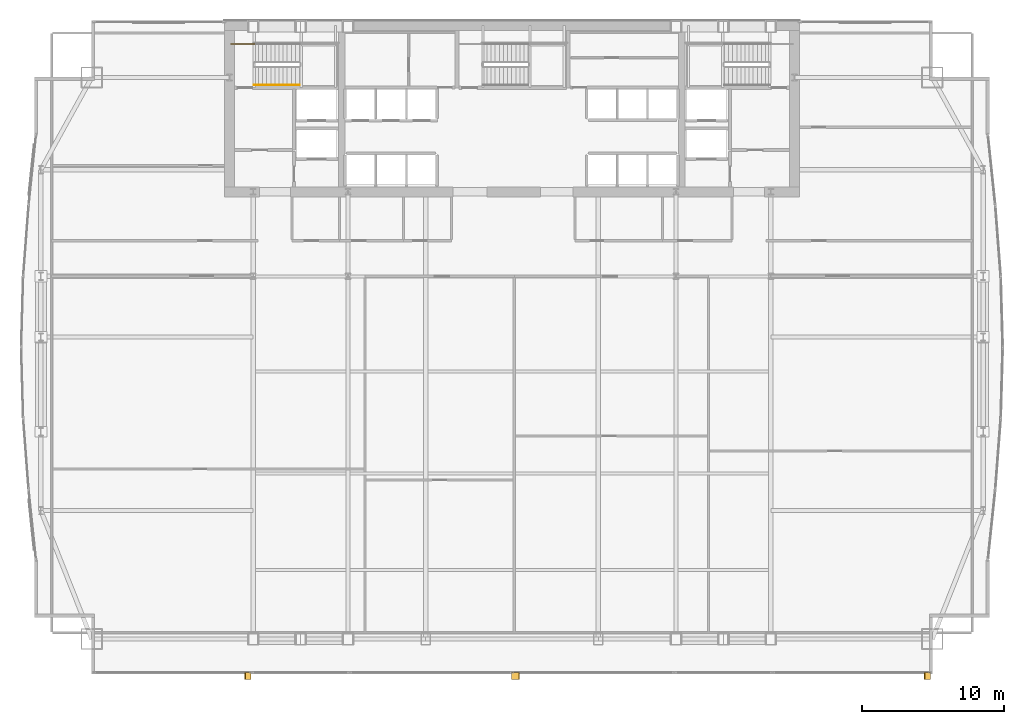
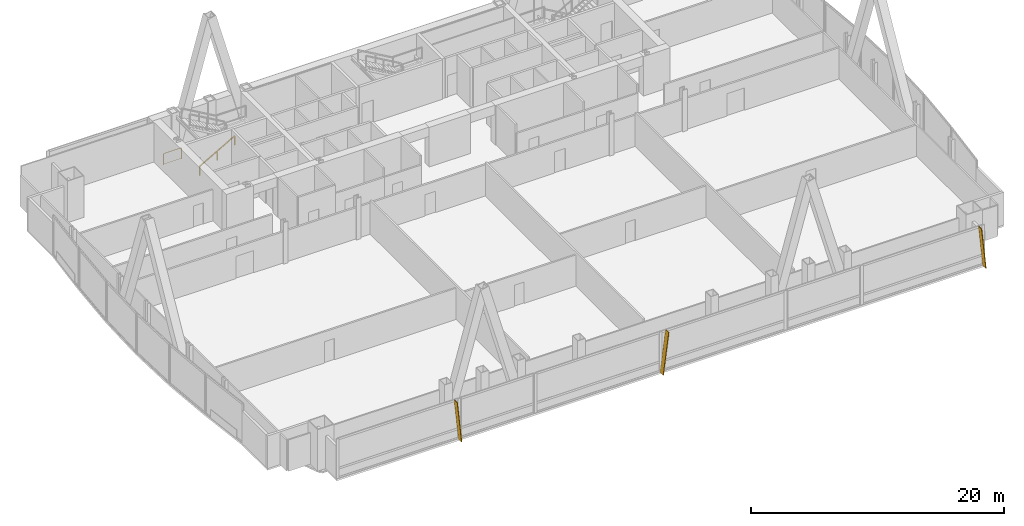
# One storey, part 31 of 32: 3 shading devices, 2 railings.
"""IFC4 building model written with IfcOpenShell, lengths in metres."""

from ifc_helpers import new_model, si_unit, direction, frame, origin, origin_2d, place, context, subcontext, project, spatial, polyline, rectangle, outline, extrude, material, layer, layer_set, type_object, element, save


model = new_model("IFC4")

# Units and contexts
model_context = context("Model", 3, precision=1e-05, world=origin(), true_north=direction((0.0, 1.0)))
body_context = subcontext(model_context, "Body", "Model", "MODEL_VIEW")
ifc_project = project(units=[si_unit("LENGTHUNIT", "METRE"), si_unit("AREAUNIT", "SQUARE_METRE"), si_unit("VOLUMEUNIT", "CUBIC_METRE"), si_unit("PLANEANGLEUNIT", "RADIAN"), si_unit("MASSUNIT", "GRAM", prefix="KILO")], contexts=[model_context])

# Site, building, storey
site_placement = place(None, origin())
site = spatial("IfcSite", under=ifc_project, at=site_placement, CompositionType="ELEMENT")
building_placement = place(site_placement, origin())
building = spatial("IfcBuilding", under=site, at=building_placement, Name="Khoronbel Lancet Exchange", CompositionType="ELEMENT")
storey_placement = place(building_placement, frame((0.0, 0.0, 94.60009765625)))
storey = spatial("IfcBuildingStorey", under=building, at=storey_placement, Name="L22", CompositionType="ELEMENT", Elevation=94.60009765625)

# Railings
ifc_material_1 = material(Name="Painted Steel Balustrade", Category="steel")
railing_type_1 = type_object("IfcRailingType", Name="RL-STG110", PredefinedType="GUARDRAIL", material=ifc_material_1)
railing_1_placement = place(storey_placement, frame((16.64990234375, 52.050048828125, 0.0)))
element("IfcRailing", 1, at=railing_1_placement, inside=storey, type_object=railing_type_1, Name="L22 ST1 stair guard 6", PredefinedType="GUARDRAIL", context=body_context, shape_type="SweptSolid", body=[
    extrude(rectangle(XDim=0.048095703125, YDim=0.048095703125, at=origin_2d()), frame((0.0, 0.0, 1.09619140625), z_axis=(1.0, 0.0, 0.0), x_axis=(0.0, 1.0, 0.0)), (0.0, 0.0, 1.0), 1.650146484375),
    extrude(rectangle(XDim=0.02392578125, YDim=0.02392578125, at=origin_2d()), frame((0.0, 0.0, 0.080078125), z_axis=(1.0, 0.0, 0.0), x_axis=(0.0, 1.0, 0.0)), (0.0, 0.0, 1.0), 1.650146484375),
    extrude(rectangle(XDim=0.0419921875, YDim=0.0419921875, at=origin_2d()), origin(), (0.0, 0.0, 1.0), 1.072021484375),
    extrude(rectangle(XDim=0.0419921875, YDim=0.0419921875, at=origin_2d()), frame((1.650146484375, 0.0, 0.0)), (0.0, 0.0, 1.0), 1.072021484375),
])
ifc_material_2 = material(Name="Brushed Stainless Steel 316", Category="steel")
railing_type_2 = type_object("IfcRailingType", Name="RL-STH92", PredefinedType="HANDRAIL", material=ifc_material_2)
railing_2_placement = place(storey_placement, frame((18.300048828125, 49.169921875, 0.16650390625)))
element("IfcRailing", 2, at=railing_2_placement, inside=storey, type_object=railing_type_2, Name="L22 ST1 stair handrail 1", PredefinedType="HANDRAIL", context=body_context, shape_type="SweptSolid", body=[
    extrude(rectangle(XDim=0.048095703125, YDim=0.048095703125, at=origin_2d()), frame((0.0, 0.0, 0.8759765625), z_axis=(0.86699087805, 0.0, 0.498324008431), x_axis=(0.0, 1.0, 0.0)), (0.0, 0.0, 1.0), 3.679443359375),
    extrude(rectangle(XDim=0.0419921875, YDim=0.0419921875, at=origin_2d()), origin(), (0.0, 0.0, 1.0), 0.851806640625),
    extrude(rectangle(XDim=0.0419921875, YDim=0.0419921875, at=origin_2d()), frame((1.594970703125, 0.0, 0.916748046875)), (0.0, 0.0, 1.0), 0.851806640625),
    extrude(rectangle(XDim=0.0419921875, YDim=0.0419921875, at=origin_2d()), frame((3.18994140625, 0.0, 1.83349609375)), (0.0, 0.0, 1.0), 0.851806640625),
])

# Shading devices
ifc_material_3 = material(Name="Bronze-Anodised Aluminium 6063-T6", Category="aluminium")
ifc_layer = layer(ifc_material_3, 0.054931640625, Name="Bronze-Anodised Aluminium 6063-T6")
ifc_layer_set = layer_set([ifc_layer], Name="Bronze-Anodised Aluminium 6063-T6")
shading_device_type = type_object("IfcShadingDeviceType", Name="SHD-FIN1", PredefinedType="USERDEFINED", material=ifc_layer_set)
shading_device_1_placement = place(storey_placement, frame((18.072509765625, 7.81005859375, -0.080078125), z_axis=(0.995011517869, 0.0, 0.099760108806), x_axis=(0.0, -1.0, 0.0)))
element("IfcShadingDevice", 3, at=shading_device_1_placement, inside=storey, type_object=shading_device_type, Name="Slanted bronze solar fin CW-L22-SWV-1", ObjectType="FIN", PredefinedType="USERDEFINED", context=body_context, shape_type="SweptSolid", body=[
    extrude(outline(polyline([(0.0, 0.0), (0.52001953125, 0.0), (0.52001953125, -3.959716796875), (0.0, -3.959716796875), (0.0, 0.0)])), origin(), (0.0, 0.0, -1.0), 0.054931640625),
])
shading_device_2_placement = place(storey_placement, frame((36.422607421875, 7.81005859375, -0.080078125), z_axis=(-0.991889216598, 0.0, 0.127105397195), x_axis=(0.0, -1.0, 0.0)))
element("IfcShadingDevice", 4, at=shading_device_2_placement, inside=storey, type_object=shading_device_type, Name="Slanted bronze solar fin CW-L22-SCV-1", ObjectType="FIN", PredefinedType="USERDEFINED", context=body_context, shape_type="SweptSolid", body=[
    extrude(outline(polyline([(0.0, 0.0), (0.52001953125, 0.0), (0.52001953125, 3.97216796875), (0.0, 3.97216796875), (0.0, 0.0)])), origin(), (0.0, 0.0, -1.0), 0.054931640625),
])
shading_device_3_placement = place(storey_placement, frame((65.9326171875, 7.81005859375, -0.080078125), z_axis=(0.995011517869, 0.0, 0.099760108806), x_axis=(0.0, -1.0, 0.0)))
element("IfcShadingDevice", 5, at=shading_device_3_placement, inside=storey, type_object=shading_device_type, Name="Slanted bronze solar fin CW-L22-SEV-1", ObjectType="FIN", PredefinedType="USERDEFINED", context=body_context, shape_type="SweptSolid", body=[
    extrude(outline(polyline([(0.0, 0.0), (0.52001953125, 0.0), (0.52001953125, -3.959716796875), (0.0, -3.959716796875), (0.0, 0.0)])), origin(), (0.0, 0.0, -1.0), 0.054931640625),
])

save(model, "model.ifc")
